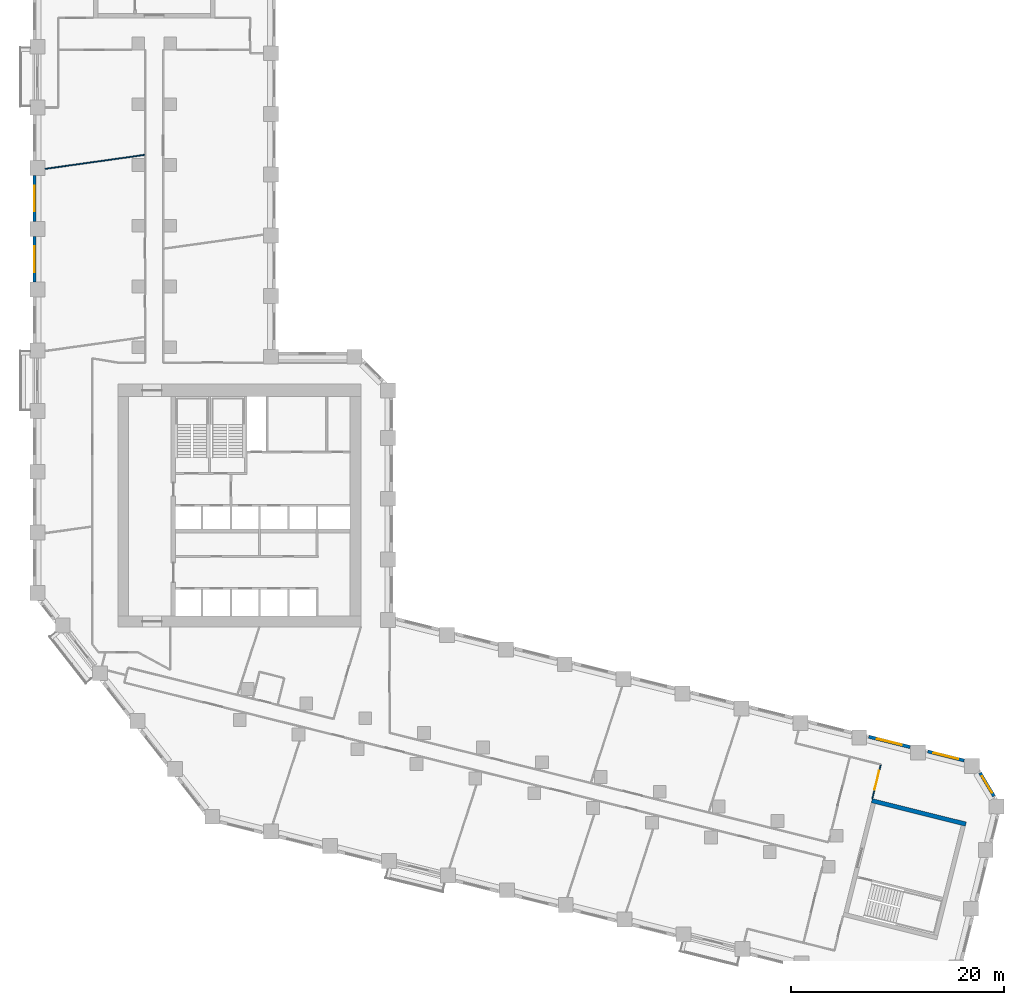
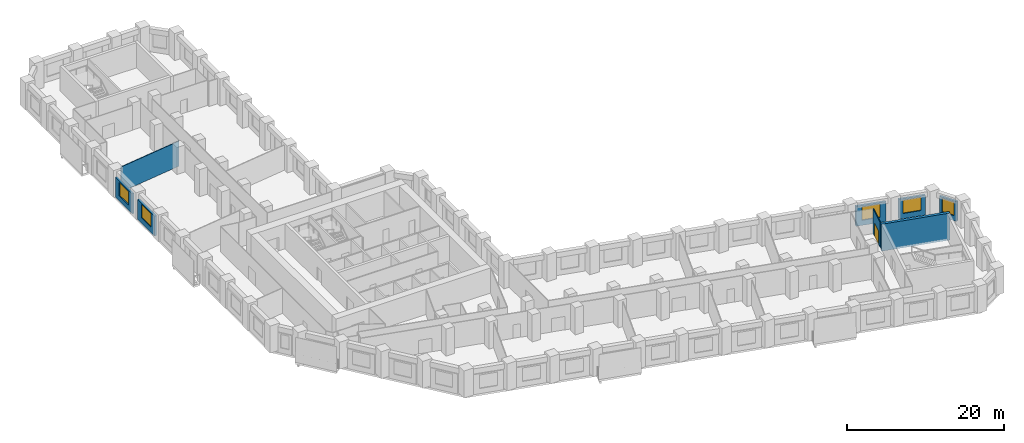
# One storey, part 8 of 12: 8 walls, 5 windows, 1 door, 6 openings.
"""IFC4 building model written with IfcOpenShell, lengths in metres."""

import ifcopenshell
import ifcopenshell.guid

model = None  # the IFC model being written
_history = None  # IfcOwnerHistory: only IFC2X3 demands one
_inside = {}  # id of a spatial element -> (the spatial element, [elements in it])
_under = {}  # id of a project, library or spatial element -> (it, [spatial elements below it])
_declared = {}  # id of a project -> (the project, [libraries it declares])
_typed = {}  # id of a type object -> (the type object, [elements of that type])
_made_of = {}  # id of a material, layer set ... -> (it, [elements and type objects made of it])


def new_model(schema):
    """Start an empty IFC model of exactly this schema.

    Asked for "IFC4X3", IfcOpenShell would pick the latest addendum, in which some entities
    have other attributes; the version numbers below select the first issue.
    IFC2X3 requires an IfcOwnerHistory on every rooted entity: one is made here for all.
    """
    global model, _history
    if schema == "IFC4X3":
        model = ifcopenshell.file(schema_version=(4, 3, 0, 0))
    else:
        model = ifcopenshell.file(schema=schema)
    _inside.clear()
    _under.clear()
    _declared.clear()
    _typed.clear()
    _made_of.clear()
    _history = None
    if model.schema == "IFC2X3":
        org = make("IfcOrganization", Name="unknown")
        user = make(
            "IfcPersonAndOrganization",
            ThePerson=make("IfcPerson", FamilyName="unknown"),
            TheOrganization=org,
        )
        app = make(
            "IfcApplication",
            ApplicationDeveloper=org,
            Version="unknown",
            ApplicationFullName="unknown",
            ApplicationIdentifier="unknown",
        )
        _history = make(
            "IfcOwnerHistory",
            OwningUser=user,
            OwningApplication=app,
            ChangeAction="ADDED",
            CreationDate=0,
        )
    return model


def make(cls, **values):
    """One entity of the class cls with the attributes given. An attribute that is None is left unset."""
    return model.create_entity(
        cls, **{name: value for name, value in values.items() if value is not None}
    )


def rooted(cls, **values):
    """An entity with a GlobalId (a new one), such as an element, a storey or a relation."""
    return make(cls, GlobalId=ifcopenshell.guid.new(), OwnerHistory=_history, **values)


def si_unit(unit_type, name, prefix=None):
    """IfcSIUnit, for example si_unit("LENGTHUNIT", "METRE", prefix="MILLI")."""
    return make("IfcSIUnit", UnitType=unit_type, Prefix=prefix, Name=name)


def assignment(units):
    """IfcUnitAssignment: the units of a project."""
    return None if units is None else make("IfcUnitAssignment", Units=units)


def point(xyz):
    """IfcCartesianPoint."""
    return None if xyz is None else make("IfcCartesianPoint", Coordinates=xyz)


def direction(xyz):
    """IfcDirection."""
    return None if xyz is None else make("IfcDirection", DirectionRatios=xyz)


def frame(location, z_axis=None, x_axis=None):
    """IfcAxis2Placement3D, a coordinate frame: its origin and axes. An axis left out is left unset."""
    return make(
        "IfcAxis2Placement3D",
        Location=point(location),
        Axis=direction(z_axis),
        RefDirection=direction(x_axis),
    )


def frame_2d(location, x_axis=None):
    """IfcAxis2Placement2D, a coordinate frame in the plane: its origin and x axis."""
    return make(
        "IfcAxis2Placement2D", Location=point(location), RefDirection=direction(x_axis)
    )


def origin():
    """The frame at (0, 0, 0) with its axes left unset."""
    return frame((0.0, 0.0, 0.0))


def place(relative_to, where):
    """IfcLocalPlacement: puts the frame where relative to a parent placement (None: the world)."""
    return make(
        "IfcLocalPlacement", PlacementRelTo=relative_to, RelativePlacement=where
    )


def context(
    kind, dimensions, precision=None, world=None, true_north=None, identifier=None
):
    """IfcGeometricRepresentationContext, for example the 3D "Model" context."""
    return make(
        "IfcGeometricRepresentationContext",
        ContextIdentifier=identifier,
        ContextType=kind,
        CoordinateSpaceDimension=dimensions,
        Precision=precision,
        WorldCoordinateSystem=world,
        TrueNorth=true_north,
    )


def subcontext(parent, identifier, kind, view, scale=None):
    """IfcGeometricRepresentationSubContext, for example "Body" below "Model"."""
    return make(
        "IfcGeometricRepresentationSubContext",
        ContextIdentifier=identifier,
        ContextType=kind,
        ParentContext=parent,
        TargetScale=scale,
        TargetView=view,
    )


def project(units=None, contexts=None):
    """IfcProject with its units and contexts."""
    return rooted(
        "IfcProject",
        Name="project",
        RepresentationContexts=contexts,
        UnitsInContext=assignment(units),
    )


def spatial(cls, under=None, at=None, **own):
    """A site, building, storey or space (cls), placed at a placement, below another one or the project."""
    s = rooted(cls, ObjectPlacement=at, **own)
    if under is not None:
        _under.setdefault(under.id(), (under, []))[1].append(s)
    return s


def profile(cls, at=None, kind="AREA", **sizes):
    """A parametric profile (cls). Its sizes go by their IFC names, for example OverallWidth=200.0."""
    return make(cls, ProfileType=kind, Position=at, **sizes)


def rectangle(**sizes):
    """IfcRectangleProfileDef."""
    return profile("IfcRectangleProfileDef", **sizes)


def extrude(swept, where, along, depth):
    """IfcExtrudedAreaSolid: the profile swept, set in the frame where, extruded along a direction by depth."""
    return make(
        "IfcExtrudedAreaSolid",
        SweptArea=swept,
        Position=where,
        ExtrudedDirection=direction(along),
        Depth=depth,
    )


def shape(context_of_items, identifier, shape_type, items):
    """IfcShapeRepresentation: the items that make up one representation, for example the "Body"."""
    return make(
        "IfcShapeRepresentation",
        ContextOfItems=context_of_items,
        RepresentationIdentifier=identifier,
        RepresentationType=shape_type,
        Items=items,
    )


def material(Name=None, Category=None):
    """IfcMaterial."""
    return make("IfcMaterial", Name=Name, Category=Category)


def layer(
    of_material, thickness, ventilated=None, Name=None, Category=None, Priority=None
):
    """IfcMaterialLayer: one layer of a wall or slab, of a material (None: an air gap)."""
    return make(
        "IfcMaterialLayer",
        Material=of_material,
        LayerThickness=thickness,
        IsVentilated=ventilated,
        Name=Name,
        Category=Category,
        Priority=Priority,
    )


def layer_set(layers, Name=None):
    """IfcMaterialLayerSet."""
    return make("IfcMaterialLayerSet", MaterialLayers=layers, LayerSetName=Name)


def made_of(thing, what):
    """Note that an element or type object is made of a material, layer set ...; save() writes the relation."""
    if what is not None:
        _made_of.setdefault(what.id(), (what, []))[1].append(thing)
    return thing


def type_object(cls, material=None, **own):
    """A type object (cls), such as IfcWallType, which elements share."""
    return made_of(rooted(cls, **own), material)


def element(
    cls,
    number,
    at=None,
    inside=None,
    cuts=None,
    type_object=None,
    material=None,
    context=None,
    identifier="Body",
    shape_type=None,
    held_by="IfcProductDefinitionShape",
    body=None,
    shapes=None,
    **own,
):
    """One element of the class cls, such as IfcWall. Its Tag is "e" and its number.

    at: its placement. inside: the storey or other place that contains it. cuts: it is an
    opening in that element (IfcRelVoidsElement). A single representation is given by context,
    identifier, shape_type and body (its items); several are given by shapes. held_by: the class
    of the entity that holds the representations. save() writes the other relations.
    """
    e = rooted(cls, Tag="e%d" % number, ObjectPlacement=at, **own)
    if body is not None:
        shapes = [shape(context, identifier, shape_type, body)]
    if shapes is not None:
        e.Representation = make(held_by, Representations=shapes)
    if inside is not None:
        _inside.setdefault(inside.id(), (inside, []))[1].append(e)
    if cuts is not None:
        rooted(
            "IfcRelVoidsElement", RelatingBuildingElement=cuts, RelatedOpeningElement=e
        )
    if type_object is not None:
        _typed.setdefault(type_object.id(), (type_object, []))[1].append(e)
    return made_of(e, material)


def fill(opening, filler):
    """IfcRelFillsElement: the door or window that sits in an opening."""
    return rooted(
        "IfcRelFillsElement",
        RelatingOpeningElement=opening,
        RelatedBuildingElement=filler,
    )


def aggregate(whole, parts):
    """IfcRelAggregates: a whole, such as a stair, and the parts it consists of."""
    return rooted("IfcRelAggregates", RelatingObject=whole, RelatedObjects=parts)


def save(model, path):
    """Write the relations noted so far, then the file.

    IfcRelAggregates (storeys below a building ...), IfcRelContainedInSpatialStructure (elements
    in a storey), IfcRelDefinesByType, IfcRelAssociatesMaterial and IfcRelDeclares: one each for
    every whole, place, type object, material and project.
    """
    for whole, parts in _under.values():
        aggregate(whole, parts)
    for where, things in _inside.values():
        rooted(
            "IfcRelContainedInSpatialStructure",
            RelatedElements=things,
            RelatingStructure=where,
        )
    for kind, things in _typed.values():
        rooted("IfcRelDefinesByType", RelatedObjects=things, RelatingType=kind)
    for what, things in _made_of.values():
        rooted("IfcRelAssociatesMaterial", RelatedObjects=things, RelatingMaterial=what)
    for by, libraries in _declared.values():
        rooted("IfcRelDeclares", RelatingContext=by, RelatedDefinitions=libraries)
    model.write(path)


model = new_model("IFC4")

# Units and contexts
model_context = context("Model", 3, precision=1e-05, world=origin(), true_north=direction((0.0, 1.0)))
body_context = subcontext(model_context, "Body", "Model", "MODEL_VIEW")
ifc_project = project(units=[si_unit("LENGTHUNIT", "METRE"), si_unit("AREAUNIT", "SQUARE_METRE"), si_unit("VOLUMEUNIT", "CUBIC_METRE"), si_unit("PLANEANGLEUNIT", "RADIAN"), si_unit("MASSUNIT", "GRAM", prefix="KILO")], contexts=[model_context])

# Site, building, storey
site_placement = place(None, origin())
site = spatial("IfcSite", under=ifc_project, at=site_placement, CompositionType="ELEMENT")
building_placement = place(site_placement, origin())
building = spatial("IfcBuilding", under=site, at=building_placement, Name="Meshkara Civic Tower", CompositionType="ELEMENT")
storey_placement = place(building_placement, frame((0.0, 0.0, 58.199951171875)))
storey = spatial("IfcBuildingStorey", under=building, at=storey_placement, Name="L12", CompositionType="ELEMENT", Elevation=58.199951171875)

# Wall, opening, door
ifc_material_1 = material(Name="Corridor wall 100")
ifc_layer_1 = layer(ifc_material_1, 0.10009765625)
ifc_layer_set_1 = layer_set([ifc_layer_1], Name="Corridor wall 100")
wall_type_1 = type_object("IfcWallType", Name="Corridor wall 100", PredefinedType="PARTITIONING", material=ifc_layer_set_1)
wall_1_placement = place(storey_placement, frame((78.821044921875, -2.029052734375, 0.0), z_axis=(0.0, 0.0, 1.0), x_axis=(0.241769629392, 0.970333677816, 0.0)))
wall_1 = element("IfcWall", 1, at=wall_1_placement, inside=storey, type_object=wall_type_1, Name="L12-W030", PredefinedType="PARTITIONING", context=body_context, shape_type="SweptSolid", body=[
    extrude(rectangle(XDim=3.300048828125, YDim=0.10009765625, at=frame_2d((1.64990234375, 0.0))), origin(), (0.0, 0.0, 1.0), 3.900146484375),
])
opening_1_placement = place(wall_1_placement, frame((0.8798828125, 0.0, 0.0)))
opening_1 = element("IfcOpeningElement", 2, at=opening_1_placement, cuts=wall_1, Name="Opening L12-D008", PredefinedType="OPENING", context=body_context, shape_type="SweptSolid", body=[
    extrude(rectangle(XDim=1.800048828125, YDim=2.10009765625, at=frame_2d((0.89990234375, 1.050048828125))), frame((0.0, 0.06005859375, 0.0), z_axis=(0.0, -1.0, 0.0), x_axis=(1.0, 0.0, 0.0)), (0.0, 0.0, 1.0), 0.1201171875),
])
ifc_material_2 = material(Name="Door pair 1800 x 2100")
door_type = type_object("IfcDoorType", Name="Door pair 1800 x 2100", OperationType="SINGLE_SWING_LEFT", PredefinedType="DOOR", material=ifc_material_2)
door_placement = place(opening_1_placement, origin())
door = element("IfcDoor", 3, at=door_placement, inside=storey, type_object=door_type, Name="L12-D008", OperationType="DOUBLE_DOOR_SINGLE_SWING", OverallHeight=2.10009765625, OverallWidth=1.800048828125, PredefinedType="DOOR", context=body_context, shape_type="SweptSolid", body=[
    extrude(rectangle(XDim=1.800048828125, YDim=2.10009765625, at=frame_2d((0.89990234375, 1.050048828125))), frame((0.0, 0.02490234375, 0.0), z_axis=(0.0, -1.0, 0.0), x_axis=(1.0, 0.0, 0.0)), (0.0, 0.0, 1.0), 0.050048828125),
])
fill(opening_1, door)

# Wall, opening, window
ifc_material_3 = material(Name="Insulated infill panel with bronze anodised aluminium cladding", Category="aluminium")
ifc_layer_2 = layer(ifc_material_3, 0.300048828125)
ifc_layer_set_2 = layer_set([ifc_layer_2], Name="EXTERNAL INFILL WALL 300")
wall_type_2 = type_object("IfcWallType", Name="EXTERNAL INFILL WALL 300", PredefinedType="SOLIDWALL", material=ifc_layer_set_2)
wall_2_placement = place(storey_placement, frame((87.43505859375, 1.54296875, 0.0), z_axis=(0.0, 0.0, 1.0), x_axis=(-0.970289298425, 0.241947674843, 0.0)))
wall_2 = element("IfcWall", 4, at=wall_2_placement, inside=storey, type_object=wall_type_2, Name="External wall", PredefinedType="SOLIDWALL", context=body_context, shape_type="SweptSolid", body=[
    extrude(rectangle(XDim=3.517578125, YDim=0.300048828125, at=frame_2d((1.7587890625, 0.0))), origin(), (0.0, 0.0, 1.0), 3.10009765625),
])
opening_2_placement = place(wall_2_placement, frame((0.55908203125, 0.0, 0.800048828125)))
opening_2 = element("IfcOpeningElement", 5, at=opening_2_placement, cuts=wall_2, Name="Opening W7", PredefinedType="OPENING", context=body_context, shape_type="SweptSolid", body=[
    extrude(rectangle(XDim=2.39990234375, YDim=2.10009765625, at=frame_2d((1.199951171875, 1.050048828125))), frame((0.0, 0.159912109375, 0.0), z_axis=(0.0, -1.0, 0.0), x_axis=(1.0, 0.0, 0.0)), (0.0, 0.0, 1.0), 0.320068359375),
])
ifc_material_4 = material(Name="Tinted double glazing", Category="glass")
window_type_1 = type_object("IfcWindowType", Name="WINDOW 2400x2100", PartitioningType="DOUBLE_PANEL_VERTICAL", PredefinedType="WINDOW", material=ifc_material_4)
window_1_placement = place(opening_2_placement, origin())
window_1 = element("IfcWindow", 6, at=window_1_placement, inside=storey, type_object=window_type_1, Name="Window", OverallHeight=2.10009765625, OverallWidth=2.39990234375, PartitioningType="DOUBLE_PANEL_VERTICAL", PredefinedType="WINDOW", context=body_context, shape_type="SweptSolid", body=[
    extrude(rectangle(XDim=2.39990234375, YDim=2.10009765625, at=frame_2d((1.199951171875, 1.050048828125))), frame((0.0, 0.030029296875, 0.0), z_axis=(0.0, -1.0, 0.0), x_axis=(1.0, 0.0, 0.0)), (0.0, 0.0, 1.0), 0.06005859375),
])
fill(opening_2, window_1)

wall_3_placement = place(storey_placement, frame((82.375, 2.804931640625, 0.0), z_axis=(0.0, 0.0, 1.0), x_axis=(-0.970318045095, 0.24183236211, 0.0)))
wall_3 = element("IfcWall", 7, at=wall_3_placement, inside=storey, type_object=wall_type_2, Name="External wall", PredefinedType="SOLIDWALL", context=body_context, shape_type="SweptSolid", body=[
    extrude(rectangle(XDim=4.0029296875, YDim=0.300048828125, at=frame_2d((2.00146484375, 0.0))), origin(), (0.0, 0.0, 1.0), 3.10009765625),
])
opening_3_placement = place(wall_3_placement, frame((0.802001953125, 0.0, 0.800048828125)))
opening_3 = element("IfcOpeningElement", 8, at=opening_3_placement, cuts=wall_3, Name="Opening W7", PredefinedType="OPENING", context=body_context, shape_type="SweptSolid", body=[
    extrude(rectangle(XDim=2.39990234375, YDim=2.10009765625, at=frame_2d((1.199951171875, 1.050048828125))), frame((0.0, 0.159912109375, 0.0), z_axis=(0.0, -1.0, 0.0), x_axis=(1.0, 0.0, 0.0)), (0.0, 0.0, 1.0), 0.320068359375),
])
window_2_placement = place(opening_3_placement, origin())
window_2 = element("IfcWindow", 9, at=window_2_placement, inside=storey, type_object=window_type_1, Name="Window", OverallHeight=2.10009765625, OverallWidth=2.39990234375, PartitioningType="DOUBLE_PANEL_VERTICAL", PredefinedType="WINDOW", context=body_context, shape_type="SweptSolid", body=[
    extrude(rectangle(XDim=2.39990234375, YDim=2.10009765625, at=frame_2d((1.199951171875, 1.050048828125))), frame((0.0, 0.030029296875, 0.0), z_axis=(0.0, -1.0, 0.0), x_axis=(1.0, 0.0, 0.0)), (0.0, 0.0, 1.0), 0.06005859375),
])
fill(opening_3, window_2)

wall_4_placement = place(storey_placement, frame((0.14990234375, 56.455078125, 0.0), z_axis=(0.0, 0.0, 1.0), x_axis=(0.0, -1.0, 0.0)))
wall_4 = element("IfcWall", 10, at=wall_4_placement, inside=storey, type_object=wall_type_2, Name="External wall", PredefinedType="SOLIDWALL", context=body_context, shape_type="SweptSolid", body=[
    extrude(rectangle(XDim=4.300048828125, YDim=0.300048828125, at=frame_2d((2.14990234375, 0.0))), origin(), (0.0, 0.0, 1.0), 3.10009765625),
])
opening_4_placement = place(wall_4_placement, frame((0.949951171875, 0.0, 0.800048828125)))
opening_4 = element("IfcOpeningElement", 11, at=opening_4_placement, cuts=wall_4, Name="Opening W7", PredefinedType="OPENING", context=body_context, shape_type="SweptSolid", body=[
    extrude(rectangle(XDim=2.39990234375, YDim=2.10009765625, at=frame_2d((1.199951171875, 1.050048828125))), frame((0.0, 0.159912109375, 0.0), z_axis=(0.0, -1.0, 0.0), x_axis=(1.0, 0.0, 0.0)), (0.0, 0.0, 1.0), 0.320068359375),
])
window_3_placement = place(opening_4_placement, origin())
window_3 = element("IfcWindow", 12, at=window_3_placement, inside=storey, type_object=window_type_1, Name="Window", OverallHeight=2.10009765625, OverallWidth=2.39990234375, PartitioningType="DOUBLE_PANEL_VERTICAL", PredefinedType="WINDOW", context=body_context, shape_type="SweptSolid", body=[
    extrude(rectangle(XDim=2.39990234375, YDim=2.10009765625, at=frame_2d((1.199951171875, 1.050048828125))), frame((0.0, 0.030029296875, 0.0), z_axis=(0.0, -1.0, 0.0), x_axis=(1.0, 0.0, 0.0)), (0.0, 0.0, 1.0), 0.06005859375),
])
fill(opening_4, window_3)

wall_5_placement = place(storey_placement, frame((0.14990234375, 50.7548828125, 0.0), z_axis=(0.0, 0.0, 1.0), x_axis=(0.0, -1.0, 0.0)))
wall_5 = element("IfcWall", 13, at=wall_5_placement, inside=storey, type_object=wall_type_2, Name="External wall", PredefinedType="SOLIDWALL", context=body_context, shape_type="SweptSolid", body=[
    extrude(rectangle(XDim=4.2998046875, YDim=0.300048828125, at=frame_2d((2.14990234375, 0.0))), origin(), (0.0, 0.0, 1.0), 3.10009765625),
])
opening_5_placement = place(wall_5_placement, frame((0.949951171875, 0.0, 0.800048828125)))
opening_5 = element("IfcOpeningElement", 14, at=opening_5_placement, cuts=wall_5, Name="Opening W7", PredefinedType="OPENING", context=body_context, shape_type="SweptSolid", body=[
    extrude(rectangle(XDim=2.39990234375, YDim=2.10009765625, at=frame_2d((1.199951171875, 1.050048828125))), frame((0.0, 0.159912109375, 0.0), z_axis=(0.0, -1.0, 0.0), x_axis=(1.0, 0.0, 0.0)), (0.0, 0.0, 1.0), 0.320068359375),
])
window_4_placement = place(opening_5_placement, origin())
window_4 = element("IfcWindow", 15, at=window_4_placement, inside=storey, type_object=window_type_1, Name="Window", OverallHeight=2.10009765625, OverallWidth=2.39990234375, PartitioningType="DOUBLE_PANEL_VERTICAL", PredefinedType="WINDOW", context=body_context, shape_type="SweptSolid", body=[
    extrude(rectangle(XDim=2.39990234375, YDim=2.10009765625, at=frame_2d((1.199951171875, 1.050048828125))), frame((0.0, 0.030029296875, 0.0), z_axis=(0.0, -1.0, 0.0), x_axis=(1.0, 0.0, 0.0)), (0.0, 0.0, 1.0), 0.06005859375),
])
fill(opening_5, window_4)

wall_6_placement = place(storey_placement, frame((90.248046875, -1.801025390625, 0.0), z_axis=(0.0, 0.0, 1.0), x_axis=(-0.515441886055, 0.856924536992, 0.0)))
wall_6 = element("IfcWall", 16, at=wall_6_placement, inside=storey, type_object=wall_type_2, Name="External wall", PredefinedType="SOLIDWALL", context=body_context, shape_type="SweptSolid", body=[
    extrude(rectangle(XDim=2.54150390625, YDim=0.300048828125, at=frame_2d((1.270751953125, 0.0))), origin(), (0.0, 0.0, 1.0), 3.10009765625),
])
opening_6_placement = place(wall_6_placement, frame((0.37109375, 0.0, 0.800048828125)))
opening_6 = element("IfcOpeningElement", 17, at=opening_6_placement, cuts=wall_6, Name="Opening W9", PredefinedType="OPENING", context=body_context, shape_type="SweptSolid", body=[
    extrude(rectangle(XDim=1.800048828125, YDim=2.10009765625, at=frame_2d((0.89990234375, 1.050048828125))), frame((0.0, 0.159912109375, 0.0), z_axis=(0.0, -1.0, 0.0), x_axis=(1.0, 0.0, 0.0)), (0.0, 0.0, 1.0), 0.320068359375),
])
ifc_material_5 = material(Name="Tinted double glazing", Category="glass")
window_type_2 = type_object("IfcWindowType", Name="WINDOW 1800x2100", PartitioningType="DOUBLE_PANEL_VERTICAL", PredefinedType="WINDOW", material=ifc_material_5)
window_5_placement = place(opening_6_placement, origin())
window_5 = element("IfcWindow", 18, at=window_5_placement, inside=storey, type_object=window_type_2, Name="Window", OverallHeight=2.10009765625, OverallWidth=1.800048828125, PartitioningType="DOUBLE_PANEL_VERTICAL", PredefinedType="WINDOW", context=body_context, shape_type="SweptSolid", body=[
    extrude(rectangle(XDim=1.800048828125, YDim=2.10009765625, at=frame_2d((0.89990234375, 1.050048828125))), frame((0.0, 0.030029296875, 0.0), z_axis=(0.0, -1.0, 0.0), x_axis=(1.0, 0.0, 0.0)), (0.0, 0.0, 1.0), 0.06005859375),
])
fill(opening_6, window_5)

# Walls
ifc_material_6 = material(Name="Concrete C80", Category="concrete")
ifc_layer_3 = layer(ifc_material_6, 0.39990234375)
ifc_layer_set_3 = layer_set([ifc_layer_3], Name="End core ring wall 400 C80")
wall_type_3 = type_object("IfcWallType", Name="End core ring wall 400 C80", PredefinedType="SHEAR", material=ifc_layer_set_3)
wall_7_placement = place(storey_placement, frame((78.77197265625, -2.222900390625, -0.300048828125), z_axis=(0.0, 0.0, 1.0), x_axis=(0.970306400786, -0.241879078453, 0.0)))
element("IfcWall", 19, at=wall_7_placement, inside=storey, type_object=wall_type_3, Name="L12-C032", PredefinedType="SHEAR", context=body_context, shape_type="SweptSolid", body=[
    extrude(rectangle(XDim=9.100341796875, YDim=0.39990234375, at=frame_2d((4.55029296875, 0.0))), origin(), (0.0, 0.0, 1.0), 4.2001953125),
])
ifc_material_7 = material(Name="Partition 100")
ifc_layer_4 = layer(ifc_material_7, 0.10009765625)
ifc_layer_set_4 = layer_set([ifc_layer_4], Name="Partition 100")
wall_type_4 = type_object("IfcWallType", Name="Partition 100", PredefinedType="PARTITIONING", material=ifc_layer_set_4)
wall_8_placement = place(storey_placement, frame((10.492919921875, 58.405029296875, 0.0), z_axis=(0.0, 0.0, 1.0), x_axis=(-0.990255073415, -0.139265536207, 0.0)))
element("IfcWall", 20, at=wall_8_placement, inside=storey, type_object=wall_type_4, Name="L12-W038", PredefinedType="PARTITIONING", context=body_context, shape_type="SweptSolid", body=[
    extrude(rectangle(XDim=9.43505859375, YDim=0.10009765625, at=frame_2d((4.717529296875, 0.0))), origin(), (0.0, 0.0, 1.0), 3.900146484375),
])

save(model, "model.ifc")
